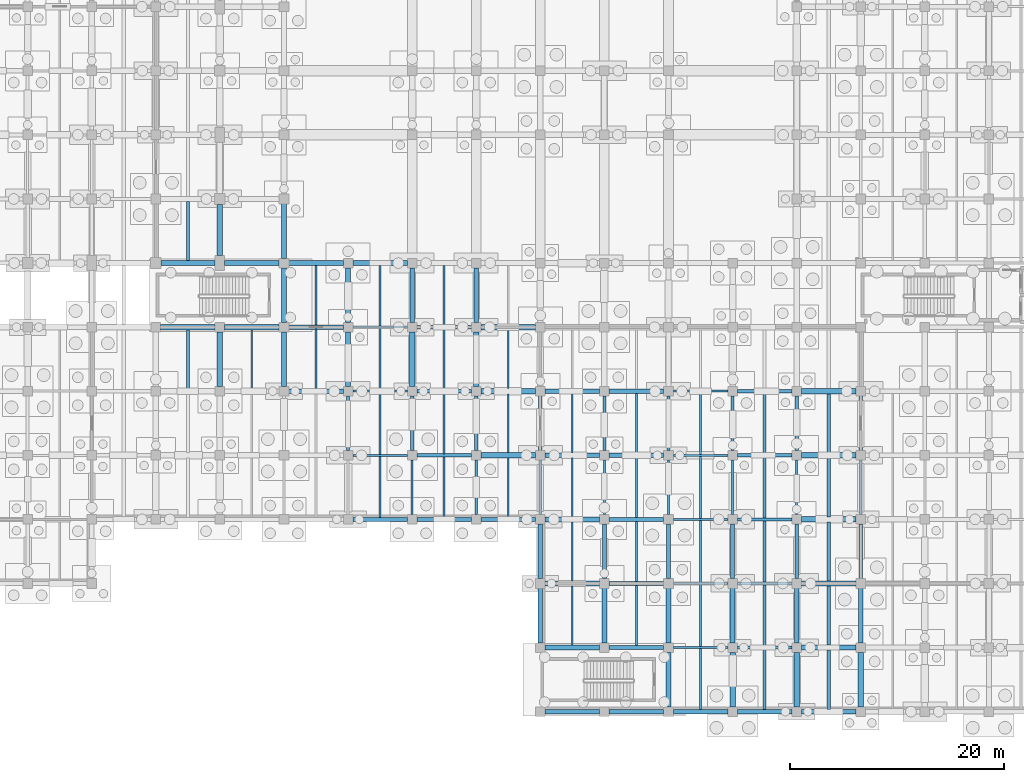
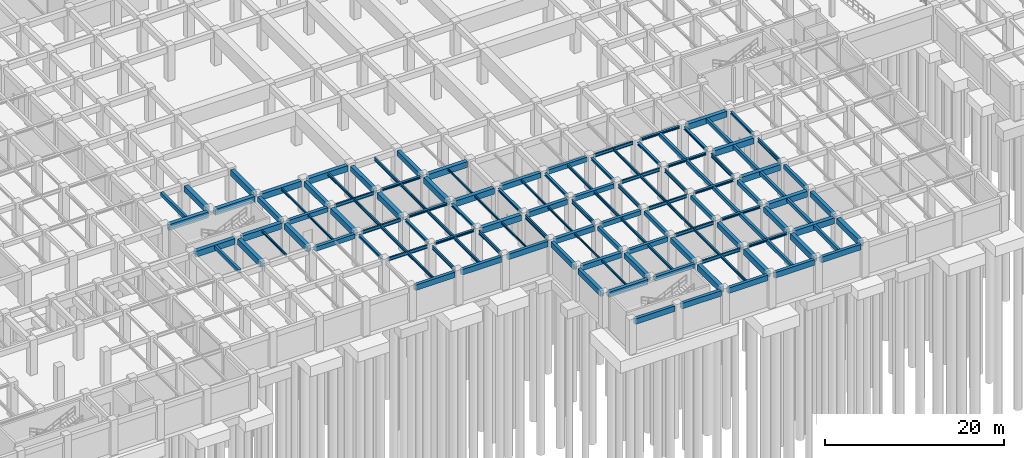
# One storey, part 28 of 54: 133 beams.
"""IFC4 building model written with IfcOpenShell, lengths in metres."""

from ifc_helpers import new_model, si_unit, direction, frame, origin, origin_2d, place, context, subcontext, project, spatial, rectangle, i_section, extrude, material, material_profile, profile_set, type_object, element, save


model = new_model("IFC4")

# Units and contexts
model_context = context("Model", 3, precision=1e-05, world=origin(), true_north=direction((0.0, 1.0)))
body_context = subcontext(model_context, "Body", "Model", "MODEL_VIEW")
ifc_project = project(units=[si_unit("LENGTHUNIT", "METRE"), si_unit("AREAUNIT", "SQUARE_METRE"), si_unit("VOLUMEUNIT", "CUBIC_METRE"), si_unit("PLANEANGLEUNIT", "RADIAN"), si_unit("MASSUNIT", "GRAM", prefix="KILO"), si_unit("THERMODYNAMICTEMPERATUREUNIT", "KELVIN"), si_unit("POWERUNIT", "WATT")], contexts=[model_context])

# Site, building, storey
site_placement = place(None, origin())
site = spatial("IfcSite", under=ifc_project, at=site_placement, CompositionType="ELEMENT")
building_placement = place(site_placement, origin())
building = spatial("IfcBuilding", under=site, at=building_placement, Name="Phaisarnlok Congress Hotel", CompositionType="ELEMENT")
storey_placement = place(building_placement, frame((0.0, 0.0, -4.800048828125)))
storey = spatial("IfcBuildingStorey", under=building, at=storey_placement, Name="B01", CompositionType="ELEMENT", Elevation=-4.800048828125)

# Beams
ifc_material_1 = material(Name="Concrete C40/50", Category="concrete")
ifc_material_profile_1 = material_profile(ifc_material_1, rectangle(XDim=0.35009765625, YDim=0.550048828125, at=origin_2d()), Name="RC 350x550")
ifc_profile_set_1 = profile_set([ifc_material_profile_1], Name="Concrete C40/50")
beam_type_1 = type_object("IfcBeamType", Name="BM-RC-350x550", PredefinedType="BEAM", material=ifc_profile_set_1)
for number, where, z_axis, x_axis, name in (
    (1, (102.0, 12.445068359375, 4.22509765625), (0.0, 1.0, 0.0), (-1.0, 0.0, 0.0), "Beam B-01"),
    (2, (108.0, 12.445068359375, 4.22509765625), (0.0, 1.0, 0.0), (-1.0, 0.0, 0.0), "Beam B-01"),
    (3, (114.0, 12.445068359375, 4.22509765625), (0.0, 1.0, 0.0), (-1.0, 0.0, 0.0), "Beam B-01"),
    (4, (120.0, 12.445068359375, 4.22509765625), (0.0, 1.0, 0.0), (-1.0, 0.0, 0.0), "Beam B-01"),
    (5, (126.0, 12.445068359375, 4.22509765625), (0.0, 1.0, 0.0), (-1.0, 0.0, 0.0), "Beam B-01"),
):
    element("IfcBeam", number, at=place(storey_placement, frame(where, z_axis=z_axis, x_axis=x_axis)), inside=storey, type_object=beam_type_1, Name=name, PredefinedType="BEAM", context=body_context, shape_type="SweptSolid", body=[
        extrude(rectangle(XDim=0.35009765625, YDim=0.550048828125, at=origin_2d()), origin(), (0.0, 0.0, 1.0), 5.10986328125),
    ])
ifc_material_profile_2 = material_profile(ifc_material_1, rectangle(XDim=0.39990234375, YDim=0.60009765625, at=origin_2d()), Name="RC 400x600")
ifc_profile_set_2 = profile_set([ifc_material_profile_2], Name="Concrete C40/50")
beam_type_2 = type_object("IfcBeamType", Name="BM-RC-400x600", PredefinedType="BEAM", material=ifc_profile_set_2)
for number, where, z_axis, x_axis, name in (
    (6, (72.445068359375, 30.0, 4.199951171875), (1.0, 0.0, 0.0), (0.0, 1.0, 0.0), "Beam B-02"),
    (7, (72.445068359375, 36.0, 4.199951171875), (1.0, 0.0, 0.0), (0.0, 1.0, 0.0), "Beam B-02"),
    (8, (102.445068359375, 6.0, 4.199951171875), (1.0, 0.0, 0.0), (0.0, 1.0, 0.0), "Beam B-02"),
    (9, (102.445068359375, 12.0, 4.199951171875), (1.0, 0.0, 0.0), (0.0, 1.0, 0.0), "Beam B-02"),
    (10, (102.445068359375, 18.0, 4.199951171875), (1.0, 0.0, 0.0), (0.0, 1.0, 0.0), "Beam B-02"),
    (11, (102.445068359375, 24.0, 4.199951171875), (1.0, 0.0, 0.0), (0.0, 1.0, 0.0), "Beam B-02"),
    (12, (102.445068359375, 30.0, 4.199951171875), (1.0, 0.0, 0.0), (0.0, 1.0, 0.0), "Beam B-02"),
):
    element("IfcBeam", number, at=place(storey_placement, frame(where, z_axis=z_axis, x_axis=x_axis)), inside=storey, type_object=beam_type_2, Name=name, PredefinedType="BEAM", context=body_context, shape_type="SweptSolid", body=[
        extrude(rectangle(XDim=0.39990234375, YDim=0.60009765625, at=origin_2d()), origin(), (0.0, 0.0, 1.0), 5.10986328125),
    ])
ifc_material_profile_3 = material_profile(ifc_material_1, rectangle(XDim=0.449951171875, YDim=0.699951171875, at=origin_2d()), Name="RC 450x700")
ifc_profile_set_3 = profile_set([ifc_material_profile_3], Name="Concrete C40/50")
beam_type_3 = type_object("IfcBeamType", Name="BM-RC-450x700", PredefinedType="BEAM", material=ifc_profile_set_3)
for number, where, z_axis, x_axis, name in (
    (13, (72.0, 36.445068359375, 4.150146484375), (0.0, 1.0, 0.0), (-1.0, 0.0, 0.0), "Beam B-03"),
    (14, (78.0, 36.445068359375, 4.150146484375), (0.0, 1.0, 0.0), (-1.0, 0.0, 0.0), "Beam B-03"),
    (15, (84.0, 36.445068359375, 4.150146484375), (0.0, 1.0, 0.0), (-1.0, 0.0, 0.0), "Beam B-03"),
    (16, (90.0, 36.445068359375, 4.150146484375), (0.0, 1.0, 0.0), (-1.0, 0.0, 0.0), "Beam B-03"),
    (17, (96.445068359375, 6.0, 4.150146484375), (1.0, 0.0, 0.0), (0.0, 1.0, 0.0), "Beam B-03"),
    (18, (96.445068359375, 12.0, 4.150146484375), (1.0, 0.0, 0.0), (0.0, 1.0, 0.0), "Beam B-03"),
    (19, (96.445068359375, 18.0, 4.150146484375), (1.0, 0.0, 0.0), (0.0, 1.0, 0.0), "Beam B-03"),
    (20, (96.445068359375, 24.0, 4.150146484375), (1.0, 0.0, 0.0), (0.0, 1.0, 0.0), "Beam B-03"),
    (21, (96.445068359375, 30.0, 4.150146484375), (1.0, 0.0, 0.0), (0.0, 1.0, 0.0), "Beam B-03"),
    (22, (102.0, 6.445068359375, 4.150146484375), (0.0, 1.0, 0.0), (-1.0, 0.0, 0.0), "Beam B-03"),
    (23, (108.0, 6.445068359375, 4.150146484375), (0.0, 1.0, 0.0), (-1.0, 0.0, 0.0), "Beam B-03"),
    (24, (114.0, 6.445068359375, 4.150146484375), (0.0, 1.0, 0.0), (-1.0, 0.0, 0.0), "Beam B-03"),
    (25, (120.0, 6.445068359375, 4.150146484375), (0.0, 1.0, 0.0), (-1.0, 0.0, 0.0), "Beam B-03"),
    (26, (126.0, 6.445068359375, 4.150146484375), (0.0, 1.0, 0.0), (-1.0, 0.0, 0.0), "Beam B-03"),
):
    element("IfcBeam", number, at=place(storey_placement, frame(where, z_axis=z_axis, x_axis=x_axis)), inside=storey, type_object=beam_type_3, Name=name, PredefinedType="BEAM", context=body_context, shape_type="SweptSolid", body=[
        extrude(rectangle(XDim=0.449951171875, YDim=0.699951171875, at=origin_2d()), origin(), (0.0, 0.0, 1.0), 5.10986328125),
    ])
ifc_material_profile_4 = material_profile(ifc_material_1, rectangle(XDim=0.5, YDim=0.800048828125, at=origin_2d()), Name="RC 500x800")
ifc_profile_set_4 = profile_set([ifc_material_profile_4], Name="Concrete C40/50")
beam_type_4 = type_object("IfcBeamType", Name="BM-RC-500x800", PredefinedType="BEAM", material=ifc_profile_set_4)
beam_1_placement = place(storey_placement, frame((60.445068359375, 36.0, 4.10009765625), z_axis=(1.0, 0.0, 0.0), x_axis=(0.0, 1.0, 0.0)))
element("IfcBeam", 27, at=beam_1_placement, inside=storey, type_object=beam_type_4, Name="Beam B-04", PredefinedType="BEAM", context=body_context, shape_type="SweptSolid", body=[
    extrude(rectangle(XDim=0.5, YDim=0.800048828125, at=origin_2d()), origin(), (0.0, 0.0, 1.0), 5.10986328125),
])
beam_2_placement = place(storey_placement, frame((60.4951171875, 42.0, 4.10009765625), z_axis=(1.0, 0.0, 0.0), x_axis=(0.0, 1.0, 0.0)))
element("IfcBeam", 28, at=beam_2_placement, inside=storey, type_object=beam_type_4, Name="Beam B-04", PredefinedType="BEAM", context=body_context, shape_type="SweptSolid", body=[
    extrude(rectangle(XDim=0.5, YDim=0.800048828125, at=origin_2d()), origin(), (0.0, 0.0, 1.0), 5.059814453125),
])
for number, where, z_axis, x_axis, name in (
    (29, (66.0, 30.445068359375, 4.10009765625), (0.0, 1.0, 0.0), (-1.0, 0.0, 0.0), "Beam B-04"),
    (30, (66.445068359375, 36.0, 4.10009765625), (1.0, 0.0, 0.0), (0.0, 1.0, 0.0), "Beam B-04"),
    (31, (66.445068359375, 42.0, 4.10009765625), (1.0, 0.0, 0.0), (0.0, 1.0, 0.0), "Beam B-04"),
):
    element("IfcBeam", number, at=place(storey_placement, frame(where, z_axis=z_axis, x_axis=x_axis)), inside=storey, type_object=beam_type_4, Name=name, PredefinedType="BEAM", context=body_context, shape_type="SweptSolid", body=[
        extrude(rectangle(XDim=0.5, YDim=0.800048828125, at=origin_2d()), origin(), (0.0, 0.0, 1.0), 5.10986328125),
    ])
beam_3_placement = place(storey_placement, frame((66.0, 42.695068359375, 4.10009765625), z_axis=(0.0, 1.0, 0.0), x_axis=(-1.0, 0.0, 0.0)))
element("IfcBeam", 32, at=beam_3_placement, inside=storey, type_object=beam_type_4, Name="Beam B-04", PredefinedType="BEAM", context=body_context, shape_type="SweptSolid", body=[
    extrude(rectangle(XDim=0.5, YDim=0.800048828125, at=origin_2d()), origin(), (0.0, 0.0, 1.0), 4.809814453125),
])
for number, where, z_axis, x_axis, name in (
    (33, (72.0, 30.445068359375, 4.10009765625), (0.0, 1.0, 0.0), (-1.0, 0.0, 0.0), "Beam B-04"),
    (34, (72.445068359375, 42.0, 4.10009765625), (1.0, 0.0, 0.0), (0.0, 1.0, 0.0), "Beam B-04"),
    (35, (72.0, 42.445068359375, 4.150146484375), (0.0, 1.0, 0.0), (-1.0, 0.0, 0.0), "Beam B-04"),
    (36, (78.0, 30.445068359375, 4.10009765625), (0.0, 1.0, 0.0), (-1.0, 0.0, 0.0), "Beam B-04"),
    (37, (78.445068359375, 42.0, 4.10009765625), (1.0, 0.0, 0.0), (0.0, 1.0, 0.0), "Beam B-04"),
    (38, (84.0, 30.445068359375, 4.10009765625), (0.0, 1.0, 0.0), (-1.0, 0.0, 0.0), "Beam B-04"),
    (39, (90.445068359375, 24.0, 4.10009765625), (1.0, 0.0, 0.0), (0.0, 1.0, 0.0), "Beam B-04"),
    (40, (90.445068359375, 30.0, 4.10009765625), (1.0, 0.0, 0.0), (0.0, 1.0, 0.0), "Beam B-04"),
    (41, (90.0, 30.445068359375, 4.10009765625), (0.0, 1.0, 0.0), (-1.0, 0.0, 0.0), "Beam B-04"),
    (42, (90.445068359375, 36.0, 4.10009765625), (1.0, 0.0, 0.0), (0.0, 1.0, 0.0), "Beam B-04"),
    (43, (108.0, 0.445068359375, 4.10009765625), (0.0, 1.0, 0.0), (-1.0, 0.0, 0.0), "Beam B-04"),
    (44, (114.0, 0.445068359375, 4.10009765625), (0.0, 1.0, 0.0), (-1.0, 0.0, 0.0), "Beam B-04"),
    (45, (120.0, 0.445068359375, 4.10009765625), (0.0, 1.0, 0.0), (-1.0, 0.0, 0.0), "Beam B-04"),
    (46, (120.445068359375, 6.0, 4.10009765625), (1.0, 0.0, 0.0), (0.0, 1.0, 0.0), "Beam B-04"),
    (47, (120.445068359375, 12.0, 4.10009765625), (1.0, 0.0, 0.0), (0.0, 1.0, 0.0), "Beam B-04"),
    (48, (120.445068359375, 18.0, 4.10009765625), (1.0, 0.0, 0.0), (0.0, 1.0, 0.0), "Beam B-04"),
    (49, (120.445068359375, 24.0, 4.10009765625), (1.0, 0.0, 0.0), (0.0, 1.0, 0.0), "Beam B-04"),
    (50, (120.445068359375, 30.0, 4.10009765625), (1.0, 0.0, 0.0), (0.0, 1.0, 0.0), "Beam B-04"),
    (51, (126.0, 0.445068359375, 4.10009765625), (0.0, 1.0, 0.0), (-1.0, 0.0, 0.0), "Beam B-04"),
):
    element("IfcBeam", number, at=place(storey_placement, frame(where, z_axis=z_axis, x_axis=x_axis)), inside=storey, type_object=beam_type_4, Name=name, PredefinedType="BEAM", context=body_context, shape_type="SweptSolid", body=[
        extrude(rectangle(XDim=0.5, YDim=0.800048828125, at=origin_2d()), origin(), (0.0, 0.0, 1.0), 5.10986328125),
    ])
ifc_material_2 = material(Name="Steel S355", Category="steel")
ifc_material_profile_5 = material_profile(ifc_material_2, i_section(OverallWidth=0.300048828125, OverallDepth=0.2900390625, WebThickness=0.008544921875, FlangeThickness=0.013916015625, FilletRadius=0.027099609375, at=origin_2d()), Name="HEA 300")
ifc_profile_set_5 = profile_set([ifc_material_profile_5], Name="Steel S355")
beam_type_5 = type_object("IfcBeamType", Name="BM-STL-HEA300", PredefinedType="BEAM", material=ifc_profile_set_5)
for number, where, z_axis, x_axis, name in (
    (52, (84.445068359375, 24.0, 4.35498046875), (1.0, 0.0, 0.0), (0.0, 1.0, 0.0), "Beam SB-05"),
    (53, (84.445068359375, 30.0, 4.35498046875), (1.0, 0.0, 0.0), (0.0, 1.0, 0.0), "Beam SB-05"),
    (54, (84.445068359375, 36.0, 4.35498046875), (1.0, 0.0, 0.0), (0.0, 1.0, 0.0), "Beam SB-05"),
    (55, (114.445068359375, 6.0, 4.35498046875), (1.0, 0.0, 0.0), (0.0, 1.0, 0.0), "Beam SB-05"),
    (56, (114.445068359375, 12.0, 4.35498046875), (1.0, 0.0, 0.0), (0.0, 1.0, 0.0), "Beam SB-05"),
    (57, (114.445068359375, 18.0, 4.35498046875), (1.0, 0.0, 0.0), (0.0, 1.0, 0.0), "Beam SB-05"),
    (58, (114.445068359375, 24.0, 4.35498046875), (1.0, 0.0, 0.0), (0.0, 1.0, 0.0), "Beam SB-05"),
    (59, (114.445068359375, 30.0, 4.35498046875), (1.0, 0.0, 0.0), (0.0, 1.0, 0.0), "Beam SB-05"),
):
    element("IfcBeam", number, at=place(storey_placement, frame(where, z_axis=z_axis, x_axis=x_axis)), inside=storey, type_object=beam_type_5, Name=name, PredefinedType="BEAM", context=body_context, shape_type="SweptSolid", body=[
        extrude(i_section(OverallWidth=0.300048828125, OverallDepth=0.2900390625, WebThickness=0.008544921875, FlangeThickness=0.013916015625, FilletRadius=0.027099609375, at=origin_2d()), origin(), (0.0, 0.0, 1.0), 5.10986328125),
    ])
ifc_material_profile_6 = material_profile(ifc_material_2, i_section(OverallWidth=0.300048828125, OverallDepth=0.340087890625, WebThickness=0.011962890625, FlangeThickness=0.021484375, FilletRadius=0.027099609375, at=origin_2d()), Name="HEB 340")
ifc_profile_set_6 = profile_set([ifc_material_profile_6], Name="Steel S355")
beam_type_6 = type_object("IfcBeamType", Name="BM-STL-HEB340", PredefinedType="BEAM", material=ifc_profile_set_6)
for number, where, z_axis, x_axis, name in (
    (60, (78.0, 24.445068359375, 4.330078125), (0.0, 1.0, 0.0), (-1.0, 0.0, 0.0), "Beam SB-07"),
    (61, (84.0, 24.445068359375, 4.330078125), (0.0, 1.0, 0.0), (-1.0, 0.0, 0.0), "Beam SB-07"),
    (62, (90.0, 24.445068359375, 4.330078125), (0.0, 1.0, 0.0), (-1.0, 0.0, 0.0), "Beam SB-07"),
    (63, (96.0, 24.445068359375, 4.330078125), (0.0, 1.0, 0.0), (-1.0, 0.0, 0.0), "Beam SB-07"),
    (64, (102.0, 24.445068359375, 4.330078125), (0.0, 1.0, 0.0), (-1.0, 0.0, 0.0), "Beam SB-07"),
    (65, (108.0, 24.445068359375, 4.330078125), (0.0, 1.0, 0.0), (-1.0, 0.0, 0.0), "Beam SB-07"),
    (66, (114.0, 24.445068359375, 4.330078125), (0.0, 1.0, 0.0), (-1.0, 0.0, 0.0), "Beam SB-07"),
    (67, (120.0, 24.445068359375, 4.330078125), (0.0, 1.0, 0.0), (-1.0, 0.0, 0.0), "Beam SB-07"),
    (68, (126.0, 24.445068359375, 4.330078125), (0.0, 1.0, 0.0), (-1.0, 0.0, 0.0), "Beam SB-07"),
):
    element("IfcBeam", number, at=place(storey_placement, frame(where, z_axis=z_axis, x_axis=x_axis)), inside=storey, type_object=beam_type_6, Name=name, PredefinedType="BEAM", context=body_context, shape_type="SweptSolid", body=[
        extrude(i_section(OverallWidth=0.300048828125, OverallDepth=0.340087890625, WebThickness=0.011962890625, FlangeThickness=0.021484375, FilletRadius=0.027099609375, at=origin_2d()), origin(), (0.0, 0.0, 1.0), 5.10986328125),
    ])
ifc_material_profile_7 = material_profile(ifc_material_2, i_section(OverallWidth=0.18994140625, OverallDepth=0.449951171875, WebThickness=0.009521484375, FlangeThickness=0.0146484375, FilletRadius=0.02099609375, at=origin_2d()), Name="IPE 450")
ifc_profile_set_7 = profile_set([ifc_material_profile_7], Name="Steel S355")
beam_type_7 = type_object("IfcBeamType", Name="BM-STL-IPE450", PredefinedType="BEAM", material=ifc_profile_set_7)
for number, where, z_axis, x_axis, name in (
    (69, (78.445068359375, 24.0, 4.275146484375), (1.0, 0.0, 0.0), (0.0, 1.0, 0.0), "Beam SB-01"),
    (70, (78.445068359375, 30.0, 4.275146484375), (1.0, 0.0, 0.0), (0.0, 1.0, 0.0), "Beam SB-01"),
    (71, (78.445068359375, 36.0, 4.275146484375), (1.0, 0.0, 0.0), (0.0, 1.0, 0.0), "Beam SB-01"),
    (72, (108.445068359375, 6.0, 4.275146484375), (1.0, 0.0, 0.0), (0.0, 1.0, 0.0), "Beam SB-01"),
    (73, (108.445068359375, 12.0, 4.275146484375), (1.0, 0.0, 0.0), (0.0, 1.0, 0.0), "Beam SB-01"),
    (74, (108.445068359375, 18.0, 4.275146484375), (1.0, 0.0, 0.0), (0.0, 1.0, 0.0), "Beam SB-01"),
    (75, (108.445068359375, 24.0, 4.275146484375), (1.0, 0.0, 0.0), (0.0, 1.0, 0.0), "Beam SB-01"),
    (76, (108.445068359375, 30.0, 4.275146484375), (1.0, 0.0, 0.0), (0.0, 1.0, 0.0), "Beam SB-01"),
):
    element("IfcBeam", number, at=place(storey_placement, frame(where, z_axis=z_axis, x_axis=x_axis)), inside=storey, type_object=beam_type_7, Name=name, PredefinedType="BEAM", context=body_context, shape_type="SweptSolid", body=[
        extrude(i_section(OverallWidth=0.18994140625, OverallDepth=0.449951171875, WebThickness=0.009521484375, FlangeThickness=0.0146484375, FilletRadius=0.02099609375, at=origin_2d()), origin(), (0.0, 0.0, 1.0), 5.10986328125),
    ])
ifc_material_profile_8 = material_profile(ifc_material_2, i_section(OverallWidth=0.199951171875, OverallDepth=0.5, WebThickness=0.01025390625, FlangeThickness=0.01611328125, FilletRadius=0.02099609375, at=origin_2d()), Name="IPE 500")
ifc_profile_set_8 = profile_set([ifc_material_profile_8], Name="Steel S355")
beam_type_8 = type_object("IfcBeamType", Name="BM-STL-IPE500", PredefinedType="BEAM", material=ifc_profile_set_8)
for number, where, z_axis, x_axis, name in (
    (77, (84.0, 18.445068359375, 4.25), (0.0, 1.0, 0.0), (-1.0, 0.0, 0.0), "Beam SB-02"),
    (78, (90.0, 18.445068359375, 4.25), (0.0, 1.0, 0.0), (-1.0, 0.0, 0.0), "Beam SB-02"),
    (79, (96.0, 18.445068359375, 4.25), (0.0, 1.0, 0.0), (-1.0, 0.0, 0.0), "Beam SB-02"),
    (80, (102.0, 18.445068359375, 4.25), (0.0, 1.0, 0.0), (-1.0, 0.0, 0.0), "Beam SB-02"),
    (81, (108.0, 18.445068359375, 4.25), (0.0, 1.0, 0.0), (-1.0, 0.0, 0.0), "Beam SB-02"),
    (82, (114.0, 18.445068359375, 4.25), (0.0, 1.0, 0.0), (-1.0, 0.0, 0.0), "Beam SB-02"),
    (83, (120.0, 18.445068359375, 4.25), (0.0, 1.0, 0.0), (-1.0, 0.0, 0.0), "Beam SB-02"),
    (84, (126.0, 18.445068359375, 4.25), (0.0, 1.0, 0.0), (-1.0, 0.0, 0.0), "Beam SB-02"),
):
    element("IfcBeam", number, at=place(storey_placement, frame(where, z_axis=z_axis, x_axis=x_axis)), inside=storey, type_object=beam_type_8, Name=name, PredefinedType="BEAM", context=body_context, shape_type="SweptSolid", body=[
        extrude(i_section(OverallWidth=0.199951171875, OverallDepth=0.5, WebThickness=0.01025390625, FlangeThickness=0.01611328125, FilletRadius=0.02099609375, at=origin_2d()), origin(), (0.0, 0.0, 1.0), 5.10986328125),
    ])
ifc_material_profile_9 = material_profile(ifc_material_1, rectangle(XDim=0.300048828125, YDim=0.5, at=origin_2d()), Name="RC 300x500")
ifc_profile_set_9 = profile_set([ifc_material_profile_9], Name="Concrete C40/50")
beam_type_9 = type_object("IfcBeamType", Name="JS-RC-300x500", PredefinedType="JOIST", material=ifc_profile_set_9)
for number, where, z_axis, x_axis, name in (
    (85, (63.0, 30.2451171875, 4.25), (0.0, 1.0, 0.0), (-1.0, 0.0, 0.0), "Secondary floor joist J-01"),
    (86, (63.0, 42.2451171875, 4.25), (0.0, 1.0, 0.0), (-1.0, 0.0, 0.0), "Secondary floor joist J-01"),
):
    element("IfcBeam", number, at=place(storey_placement, frame(where, z_axis=z_axis, x_axis=x_axis)), inside=storey, type_object=beam_type_9, Name=name, PredefinedType="JOIST", context=body_context, shape_type="SweptSolid", body=[
        extrude(rectangle(XDim=0.300048828125, YDim=0.5, at=origin_2d()), origin(), (0.0, 0.0, 1.0), 5.509765625),
    ])
beam_4_placement = place(storey_placement, frame((117.0, 0.195068359375, 4.25), z_axis=(0.0, 1.0, 0.0), x_axis=(-1.0, 0.0, 0.0)))
element("IfcBeam", 87, at=beam_4_placement, inside=storey, type_object=beam_type_9, Name="Secondary floor joist J-01", PredefinedType="JOIST", context=body_context, shape_type="SweptSolid", body=[
    extrude(rectangle(XDim=0.300048828125, YDim=0.5, at=origin_2d()), origin(), (0.0, 0.0, 1.0), 5.659912109375),
])
for number, where, z_axis, x_axis, name in (
    (88, (117.0, 6.14501953125, 4.25), (0.0, 1.0, 0.0), (-1.0, 0.0, 0.0), "Secondary floor joist J-01"),
    (89, (117.0, 12.14501953125, 4.25), (0.0, 1.0, 0.0), (-1.0, 0.0, 0.0), "Secondary floor joist J-01"),
    (90, (117.0, 18.14501953125, 4.25), (0.0, 1.0, 0.0), (-1.0, 0.0, 0.0), "Secondary floor joist J-01"),
    (91, (117.0, 24.14501953125, 4.25), (0.0, 1.0, 0.0), (-1.0, 0.0, 0.0), "Secondary floor joist J-01"),
):
    element("IfcBeam", number, at=place(storey_placement, frame(where, z_axis=z_axis, x_axis=x_axis)), inside=storey, type_object=beam_type_9, Name=name, PredefinedType="JOIST", context=body_context, shape_type="SweptSolid", body=[
        extrude(rectangle(XDim=0.300048828125, YDim=0.5, at=origin_2d()), origin(), (0.0, 0.0, 1.0), 5.7099609375),
    ])
beam_5_placement = place(storey_placement, frame((123.0, 0.195068359375, 4.25), z_axis=(0.0, 1.0, 0.0), x_axis=(-1.0, 0.0, 0.0)))
element("IfcBeam", 92, at=beam_5_placement, inside=storey, type_object=beam_type_9, Name="Secondary floor joist J-01", PredefinedType="JOIST", context=body_context, shape_type="SweptSolid", body=[
    extrude(rectangle(XDim=0.300048828125, YDim=0.5, at=origin_2d()), origin(), (0.0, 0.0, 1.0), 5.559814453125),
])
for number, where, z_axis, x_axis, name in (
    (93, (123.0, 6.2451171875, 4.25), (0.0, 1.0, 0.0), (-1.0, 0.0, 0.0), "Secondary floor joist J-01"),
    (94, (123.0, 12.2451171875, 4.25), (0.0, 1.0, 0.0), (-1.0, 0.0, 0.0), "Secondary floor joist J-01"),
    (95, (123.0, 18.2451171875, 4.25), (0.0, 1.0, 0.0), (-1.0, 0.0, 0.0), "Secondary floor joist J-01"),
    (96, (123.0, 24.2451171875, 4.25), (0.0, 1.0, 0.0), (-1.0, 0.0, 0.0), "Secondary floor joist J-01"),
):
    element("IfcBeam", number, at=place(storey_placement, frame(where, z_axis=z_axis, x_axis=x_axis)), inside=storey, type_object=beam_type_9, Name=name, PredefinedType="JOIST", context=body_context, shape_type="SweptSolid", body=[
        extrude(rectangle(XDim=0.300048828125, YDim=0.5, at=origin_2d()), origin(), (0.0, 0.0, 1.0), 5.509765625),
    ])
ifc_material_profile_10 = material_profile(ifc_material_2, i_section(OverallWidth=0.135009765625, OverallDepth=0.27001953125, WebThickness=0.006591796875, FlangeThickness=0.01025390625, FilletRadius=0.014892578125, at=origin_2d()), Name="IPE 270")
ifc_profile_set_10 = profile_set([ifc_material_profile_10], Name="Steel S355")
beam_type_10 = type_object("IfcBeamType", Name="JS-STL-IPE270", PredefinedType="JOIST", material=ifc_profile_set_10)
beam_6_placement = place(storey_placement, frame((93.0, 18.195068359375, 4.364990234375), z_axis=(0.0, 1.0, 0.0), x_axis=(-1.0, 0.0, 0.0)))
element("IfcBeam", 97, at=beam_6_placement, inside=storey, type_object=beam_type_10, Name="Secondary floor joist J-02", PredefinedType="JOIST", context=body_context, shape_type="SweptSolid", body=[
    extrude(i_section(OverallWidth=0.135009765625, OverallDepth=0.27001953125, WebThickness=0.006591796875, FlangeThickness=0.01025390625, FilletRadius=0.014892578125, at=origin_2d()), origin(), (0.0, 0.0, 1.0), 5.559814453125),
])
for number, where, z_axis, x_axis, name in (
    (98, (93.0, 24.2451171875, 4.364990234375), (0.0, 1.0, 0.0), (-1.0, 0.0, 0.0), "Secondary floor joist J-02"),
    (99, (93.0, 30.2451171875, 4.364990234375), (0.0, 1.0, 0.0), (-1.0, 0.0, 0.0), "Secondary floor joist J-02"),
):
    element("IfcBeam", number, at=place(storey_placement, frame(where, z_axis=z_axis, x_axis=x_axis)), inside=storey, type_object=beam_type_10, Name=name, PredefinedType="JOIST", context=body_context, shape_type="SweptSolid", body=[
        extrude(i_section(OverallWidth=0.135009765625, OverallDepth=0.27001953125, WebThickness=0.006591796875, FlangeThickness=0.01025390625, FilletRadius=0.014892578125, at=origin_2d()), origin(), (0.0, 0.0, 1.0), 5.509765625),
    ])
for number, where, z_axis, x_axis, name in (
    (100, (99.0, 6.219970703125, 4.364990234375), (0.0, 1.0, 0.0), (-1.0, 0.0, 0.0), "Secondary floor joist J-02"),
    (101, (99.0, 12.219970703125, 4.364990234375), (0.0, 1.0, 0.0), (-1.0, 0.0, 0.0), "Secondary floor joist J-02"),
    (102, (99.0, 18.219970703125, 4.364990234375), (0.0, 1.0, 0.0), (-1.0, 0.0, 0.0), "Secondary floor joist J-02"),
    (103, (99.0, 24.219970703125, 4.364990234375), (0.0, 1.0, 0.0), (-1.0, 0.0, 0.0), "Secondary floor joist J-02"),
):
    element("IfcBeam", number, at=place(storey_placement, frame(where, z_axis=z_axis, x_axis=x_axis)), inside=storey, type_object=beam_type_10, Name=name, PredefinedType="JOIST", context=body_context, shape_type="SweptSolid", body=[
        extrude(i_section(OverallWidth=0.135009765625, OverallDepth=0.27001953125, WebThickness=0.006591796875, FlangeThickness=0.01025390625, FilletRadius=0.014892578125, at=origin_2d()), origin(), (0.0, 0.0, 1.0), 5.56005859375),
    ])
ifc_material_profile_11 = material_profile(ifc_material_2, i_section(OverallWidth=0.14990234375, OverallDepth=0.300048828125, WebThickness=0.007080078125, FlangeThickness=0.0107421875, FilletRadius=0.014892578125, at=origin_2d()), Name="IPE 300")
ifc_profile_set_11 = profile_set([ifc_material_profile_11], Name="Steel S355")
beam_type_11 = type_object("IfcBeamType", Name="JS-STL-IPE300", PredefinedType="JOIST", material=ifc_profile_set_11)
beam_7_placement = place(storey_placement, frame((69.0, 30.219970703125, 4.35009765625), z_axis=(0.0, 1.0, 0.0), x_axis=(-1.0, 0.0, 0.0)))
element("IfcBeam", 104, at=beam_7_placement, inside=storey, type_object=beam_type_11, Name="Secondary floor joist J-03", PredefinedType="JOIST", context=body_context, shape_type="SweptSolid", body=[
    extrude(i_section(OverallWidth=0.14990234375, OverallDepth=0.300048828125, WebThickness=0.007080078125, FlangeThickness=0.0107421875, FilletRadius=0.014892578125, at=origin_2d()), origin(), (0.0, 0.0, 1.0), 5.534912109375),
])
beam_8_placement = place(storey_placement, frame((75.0, 30.195068359375, 4.35009765625), z_axis=(0.0, 1.0, 0.0), x_axis=(-1.0, 0.0, 0.0)))
element("IfcBeam", 105, at=beam_8_placement, inside=storey, type_object=beam_type_11, Name="Secondary floor joist J-03", PredefinedType="JOIST", context=body_context, shape_type="SweptSolid", body=[
    extrude(i_section(OverallWidth=0.14990234375, OverallDepth=0.300048828125, WebThickness=0.007080078125, FlangeThickness=0.0107421875, FilletRadius=0.014892578125, at=origin_2d()), origin(), (0.0, 0.0, 1.0), 5.60986328125),
])
beam_9_placement = place(storey_placement, frame((75.0, 36.195068359375, 4.35009765625), z_axis=(0.0, 1.0, 0.0), x_axis=(-1.0, 0.0, 0.0)))
element("IfcBeam", 106, at=beam_9_placement, inside=storey, type_object=beam_type_11, Name="Secondary floor joist J-03", PredefinedType="JOIST", context=body_context, shape_type="SweptSolid", body=[
    extrude(i_section(OverallWidth=0.14990234375, OverallDepth=0.300048828125, WebThickness=0.007080078125, FlangeThickness=0.0107421875, FilletRadius=0.014892578125, at=origin_2d()), origin(), (0.0, 0.0, 1.0), 5.559814453125),
])
ifc_material_profile_12 = material_profile(ifc_material_2, i_section(OverallWidth=0.169921875, OverallDepth=0.360107421875, WebThickness=0.008056640625, FlangeThickness=0.0126953125, FilletRadius=0.01806640625, at=origin_2d()), Name="IPE 360")
ifc_profile_set_12 = profile_set([ifc_material_profile_12], Name="Steel S355")
beam_type_12 = type_object("IfcBeamType", Name="JS-STL-IPE360", PredefinedType="JOIST", material=ifc_profile_set_12)
for number, where, z_axis, x_axis, name in (
    (107, (105.0, 6.195068359375, 4.320068359375), (0.0, 1.0, 0.0), (-1.0, 0.0, 0.0), "Secondary floor joist J-04"),
    (108, (105.0, 12.195068359375, 4.320068359375), (0.0, 1.0, 0.0), (-1.0, 0.0, 0.0), "Secondary floor joist J-04"),
    (109, (105.0, 18.195068359375, 4.320068359375), (0.0, 1.0, 0.0), (-1.0, 0.0, 0.0), "Secondary floor joist J-04"),
    (110, (105.0, 24.195068359375, 4.320068359375), (0.0, 1.0, 0.0), (-1.0, 0.0, 0.0), "Secondary floor joist J-04"),
):
    element("IfcBeam", number, at=place(storey_placement, frame(where, z_axis=z_axis, x_axis=x_axis)), inside=storey, type_object=beam_type_12, Name=name, PredefinedType="JOIST", context=body_context, shape_type="SweptSolid", body=[
        extrude(i_section(OverallWidth=0.169921875, OverallDepth=0.360107421875, WebThickness=0.008056640625, FlangeThickness=0.0126953125, FilletRadius=0.01806640625, at=origin_2d()), origin(), (0.0, 0.0, 1.0), 5.60986328125),
    ])
beam_10_placement = place(storey_placement, frame((111.0, 0.195068359375, 4.320068359375), z_axis=(0.0, 1.0, 0.0), x_axis=(-1.0, 0.0, 0.0)))
element("IfcBeam", 111, at=beam_10_placement, inside=storey, type_object=beam_type_12, Name="Secondary floor joist J-04", PredefinedType="JOIST", context=body_context, shape_type="SweptSolid", body=[
    extrude(i_section(OverallWidth=0.169921875, OverallDepth=0.360107421875, WebThickness=0.008056640625, FlangeThickness=0.0126953125, FilletRadius=0.01806640625, at=origin_2d()), origin(), (0.0, 0.0, 1.0), 5.71484375),
])
for number, where, z_axis, x_axis, name in (
    (112, (111.0, 6.090087890625, 4.320068359375), (0.0, 1.0, 0.0), (-1.0, 0.0, 0.0), "Secondary floor joist J-04"),
    (113, (111.0, 12.090087890625, 4.320068359375), (0.0, 1.0, 0.0), (-1.0, 0.0, 0.0), "Secondary floor joist J-04"),
    (114, (111.0, 18.090087890625, 4.320068359375), (0.0, 1.0, 0.0), (-1.0, 0.0, 0.0), "Secondary floor joist J-04"),
    (115, (111.0, 24.090087890625, 4.320068359375), (0.0, 1.0, 0.0), (-1.0, 0.0, 0.0), "Secondary floor joist J-04"),
):
    element("IfcBeam", number, at=place(storey_placement, frame(where, z_axis=z_axis, x_axis=x_axis)), inside=storey, type_object=beam_type_12, Name=name, PredefinedType="JOIST", context=body_context, shape_type="SweptSolid", body=[
        extrude(i_section(OverallWidth=0.169921875, OverallDepth=0.360107421875, WebThickness=0.008056640625, FlangeThickness=0.0126953125, FilletRadius=0.01806640625, at=origin_2d()), origin(), (0.0, 0.0, 1.0), 5.81982421875),
    ])
ifc_material_profile_13 = material_profile(ifc_material_2, i_section(OverallWidth=0.179931640625, OverallDepth=0.39990234375, WebThickness=0.008544921875, FlangeThickness=0.013427734375, FilletRadius=0.02099609375, at=origin_2d()), Name="IPE 400")
ifc_profile_set_13 = profile_set([ifc_material_profile_13], Name="Steel S355")
beam_type_13 = type_object("IfcBeamType", Name="JS-STL-IPE400", PredefinedType="JOIST", material=ifc_profile_set_13)
beam_11_placement = place(storey_placement, frame((81.0, 18.195068359375, 4.300048828125), z_axis=(0.0, 1.0, 0.0), x_axis=(-1.0, 0.0, 0.0)))
element("IfcBeam", 116, at=beam_11_placement, inside=storey, type_object=beam_type_13, Name="Secondary floor joist J-05", PredefinedType="JOIST", context=body_context, shape_type="SweptSolid", body=[
    extrude(i_section(OverallWidth=0.179931640625, OverallDepth=0.39990234375, WebThickness=0.008544921875, FlangeThickness=0.013427734375, FilletRadius=0.02099609375, at=origin_2d()), origin(), (0.0, 0.0, 1.0), 5.71484375),
])
for number, where, z_axis, x_axis, name in (
    (117, (81.0, 24.090087890625, 4.300048828125), (0.0, 1.0, 0.0), (-1.0, 0.0, 0.0), "Secondary floor joist J-05"),
    (118, (81.0, 30.090087890625, 4.300048828125), (0.0, 1.0, 0.0), (-1.0, 0.0, 0.0), "Secondary floor joist J-05"),
):
    element("IfcBeam", number, at=place(storey_placement, frame(where, z_axis=z_axis, x_axis=x_axis)), inside=storey, type_object=beam_type_13, Name=name, PredefinedType="JOIST", context=body_context, shape_type="SweptSolid", body=[
        extrude(i_section(OverallWidth=0.179931640625, OverallDepth=0.39990234375, WebThickness=0.008544921875, FlangeThickness=0.013427734375, FilletRadius=0.02099609375, at=origin_2d()), origin(), (0.0, 0.0, 1.0), 5.81982421875),
    ])
beam_12_placement = place(storey_placement, frame((81.0, 36.090087890625, 4.300048828125), z_axis=(0.0, 1.0, 0.0), x_axis=(-1.0, 0.0, 0.0)))
element("IfcBeam", 119, at=beam_12_placement, inside=storey, type_object=beam_type_13, Name="Secondary floor joist J-05", PredefinedType="JOIST", context=body_context, shape_type="SweptSolid", body=[
    extrude(i_section(OverallWidth=0.179931640625, OverallDepth=0.39990234375, WebThickness=0.008544921875, FlangeThickness=0.013427734375, FilletRadius=0.02099609375, at=origin_2d()), origin(), (0.0, 0.0, 1.0), 5.664794921875),
])
beam_13_placement = place(storey_placement, frame((87.0, 18.195068359375, 4.300048828125), z_axis=(0.0, 1.0, 0.0), x_axis=(-1.0, 0.0, 0.0)))
element("IfcBeam", 120, at=beam_13_placement, inside=storey, type_object=beam_type_13, Name="Secondary floor joist J-05", PredefinedType="JOIST", context=body_context, shape_type="SweptSolid", body=[
    extrude(i_section(OverallWidth=0.179931640625, OverallDepth=0.39990234375, WebThickness=0.008544921875, FlangeThickness=0.013427734375, FilletRadius=0.02099609375, at=origin_2d()), origin(), (0.0, 0.0, 1.0), 5.659912109375),
])
for number, where, z_axis, x_axis, name in (
    (121, (87.0, 24.14501953125, 4.300048828125), (0.0, 1.0, 0.0), (-1.0, 0.0, 0.0), "Secondary floor joist J-05"),
    (122, (87.0, 30.14501953125, 4.300048828125), (0.0, 1.0, 0.0), (-1.0, 0.0, 0.0), "Secondary floor joist J-05"),
):
    element("IfcBeam", number, at=place(storey_placement, frame(where, z_axis=z_axis, x_axis=x_axis)), inside=storey, type_object=beam_type_13, Name=name, PredefinedType="JOIST", context=body_context, shape_type="SweptSolid", body=[
        extrude(i_section(OverallWidth=0.179931640625, OverallDepth=0.39990234375, WebThickness=0.008544921875, FlangeThickness=0.013427734375, FilletRadius=0.02099609375, at=origin_2d()), origin(), (0.0, 0.0, 1.0), 5.7099609375),
    ])
beam_14_placement = place(storey_placement, frame((87.0, 36.14501953125, 4.300048828125), z_axis=(0.0, 1.0, 0.0), x_axis=(-1.0, 0.0, 0.0)))
element("IfcBeam", 123, at=beam_14_placement, inside=storey, type_object=beam_type_13, Name="Secondary floor joist J-05", PredefinedType="JOIST", context=body_context, shape_type="SweptSolid", body=[
    extrude(i_section(OverallWidth=0.179931640625, OverallDepth=0.39990234375, WebThickness=0.008544921875, FlangeThickness=0.013427734375, FilletRadius=0.02099609375, at=origin_2d()), origin(), (0.0, 0.0, 1.0), 5.60986328125),
])
ifc_material_profile_14 = material_profile(ifc_material_1, rectangle(XDim=0.39990234375, YDim=0.75, at=origin_2d()), Name="RC 400x750")
ifc_profile_set_14 = profile_set([ifc_material_profile_14], Name="Concrete C40/50")
beam_type_14 = type_object("IfcBeamType", Name="SP-RC-400x750", PredefinedType="SPANDREL", material=ifc_profile_set_14)
for number, where, z_axis, x_axis, name in (
    (124, (78.445068359375, 18.0, 4.125), (1.0, 0.0, 0.0), (0.0, 1.0, 0.0), "Beam SP-02"),
    (125, (84.445068359375, 18.0, 4.125), (1.0, 0.0, 0.0), (0.0, 1.0, 0.0), "Beam SP-02"),
    (126, (90.445068359375, 18.0, 4.125), (1.0, 0.0, 0.0), (0.0, 1.0, 0.0), "Beam SP-02"),
    (127, (96.445068359375, 0.0, 4.125), (1.0, 0.0, 0.0), (0.0, 1.0, 0.0), "Beam SP-02"),
    (128, (96.0, 6.445068359375, 4.125), (0.0, 1.0, 0.0), (-1.0, 0.0, 0.0), "Beam SP-02"),
    (129, (96.0, 12.445068359375, 4.125), (0.0, 1.0, 0.0), (-1.0, 0.0, 0.0), "Beam SP-02"),
    (130, (102.445068359375, 0.0, 4.125), (1.0, 0.0, 0.0), (0.0, 1.0, 0.0), "Beam SP-02"),
    (131, (108.445068359375, 0.0, 4.125), (1.0, 0.0, 0.0), (0.0, 1.0, 0.0), "Beam SP-02"),
    (132, (114.445068359375, 0.0, 4.125), (1.0, 0.0, 0.0), (0.0, 1.0, 0.0), "Beam SP-02"),
    (133, (120.445068359375, 0.0, 4.125), (1.0, 0.0, 0.0), (0.0, 1.0, 0.0), "Beam SP-02"),
):
    element("IfcBeam", number, at=place(storey_placement, frame(where, z_axis=z_axis, x_axis=x_axis)), inside=storey, type_object=beam_type_14, Name=name, PredefinedType="SPANDREL", context=body_context, shape_type="SweptSolid", body=[
        extrude(rectangle(XDim=0.39990234375, YDim=0.75, at=origin_2d()), origin(), (0.0, 0.0, 1.0), 5.10986328125),
    ])

save(model, "model.ifc")
